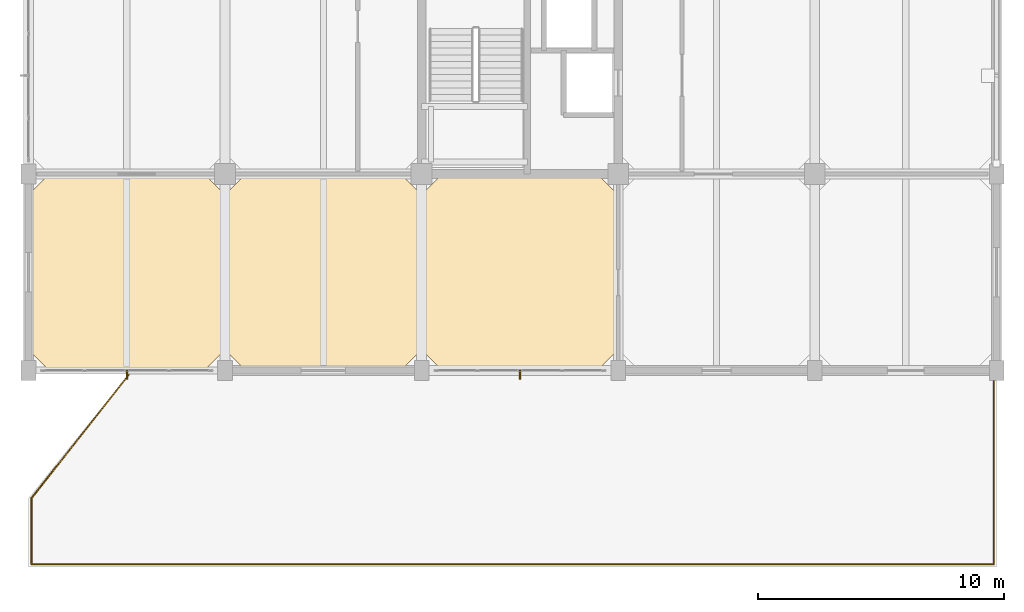
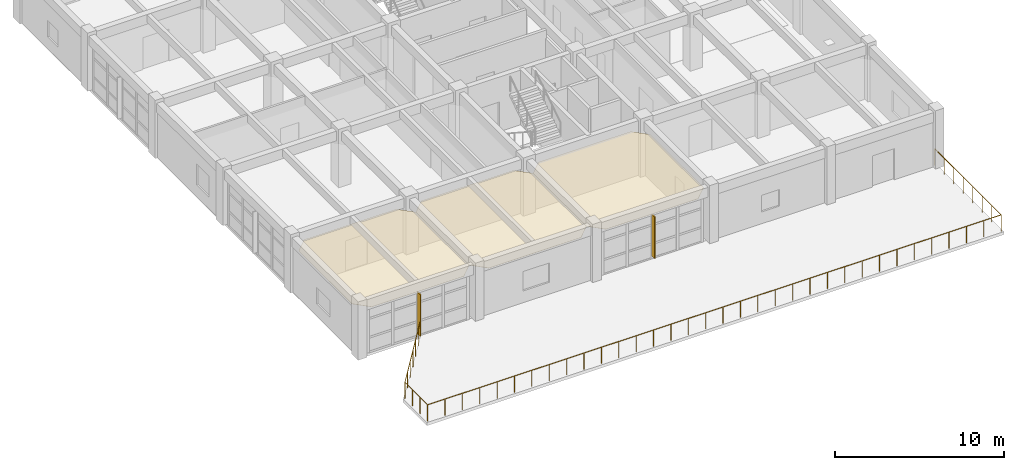
# One storey, part 25 of 30: 3 coverings, 2 shading devices, 1 railing.
"""IFC4 building model written with IfcOpenShell, lengths in metres."""

import ifcopenshell
import ifcopenshell.guid

model = None  # the IFC model being written
_history = None  # IfcOwnerHistory: only IFC2X3 demands one
_inside = {}  # id of a spatial element -> (the spatial element, [elements in it])
_under = {}  # id of a project, library or spatial element -> (it, [spatial elements below it])
_declared = {}  # id of a project -> (the project, [libraries it declares])
_typed = {}  # id of a type object -> (the type object, [elements of that type])
_made_of = {}  # id of a material, layer set ... -> (it, [elements and type objects made of it])


def new_model(schema):
    """Start an empty IFC model of exactly this schema.

    Asked for "IFC4X3", IfcOpenShell would pick the latest addendum, in which some entities
    have other attributes; the version numbers below select the first issue.
    IFC2X3 requires an IfcOwnerHistory on every rooted entity: one is made here for all.
    """
    global model, _history
    if schema == "IFC4X3":
        model = ifcopenshell.file(schema_version=(4, 3, 0, 0))
    else:
        model = ifcopenshell.file(schema=schema)
    _inside.clear()
    _under.clear()
    _declared.clear()
    _typed.clear()
    _made_of.clear()
    _history = None
    if model.schema == "IFC2X3":
        org = make("IfcOrganization", Name="unknown")
        user = make(
            "IfcPersonAndOrganization",
            ThePerson=make("IfcPerson", FamilyName="unknown"),
            TheOrganization=org,
        )
        app = make(
            "IfcApplication",
            ApplicationDeveloper=org,
            Version="unknown",
            ApplicationFullName="unknown",
            ApplicationIdentifier="unknown",
        )
        _history = make(
            "IfcOwnerHistory",
            OwningUser=user,
            OwningApplication=app,
            ChangeAction="ADDED",
            CreationDate=0,
        )
    return model


def make(cls, **values):
    """One entity of the class cls with the attributes given. An attribute that is None is left unset."""
    return model.create_entity(
        cls, **{name: value for name, value in values.items() if value is not None}
    )


def rooted(cls, **values):
    """An entity with a GlobalId (a new one), such as an element, a storey or a relation."""
    return make(cls, GlobalId=ifcopenshell.guid.new(), OwnerHistory=_history, **values)


def si_unit(unit_type, name, prefix=None):
    """IfcSIUnit, for example si_unit("LENGTHUNIT", "METRE", prefix="MILLI")."""
    return make("IfcSIUnit", UnitType=unit_type, Prefix=prefix, Name=name)


def assignment(units):
    """IfcUnitAssignment: the units of a project."""
    return None if units is None else make("IfcUnitAssignment", Units=units)


def point(xyz):
    """IfcCartesianPoint."""
    return None if xyz is None else make("IfcCartesianPoint", Coordinates=xyz)


def direction(xyz):
    """IfcDirection."""
    return None if xyz is None else make("IfcDirection", DirectionRatios=xyz)


def frame(location, z_axis=None, x_axis=None):
    """IfcAxis2Placement3D, a coordinate frame: its origin and axes. An axis left out is left unset."""
    return make(
        "IfcAxis2Placement3D",
        Location=point(location),
        Axis=direction(z_axis),
        RefDirection=direction(x_axis),
    )


def frame_2d(location, x_axis=None):
    """IfcAxis2Placement2D, a coordinate frame in the plane: its origin and x axis."""
    return make(
        "IfcAxis2Placement2D", Location=point(location), RefDirection=direction(x_axis)
    )


def origin():
    """The frame at (0, 0, 0) with its axes left unset."""
    return frame((0.0, 0.0, 0.0))


def origin_2d():
    """The frame at (0, 0) in the plane with its x axis left unset."""
    return frame_2d((0.0, 0.0))


def place(relative_to, where):
    """IfcLocalPlacement: puts the frame where relative to a parent placement (None: the world)."""
    return make(
        "IfcLocalPlacement", PlacementRelTo=relative_to, RelativePlacement=where
    )


def context(
    kind, dimensions, precision=None, world=None, true_north=None, identifier=None
):
    """IfcGeometricRepresentationContext, for example the 3D "Model" context."""
    return make(
        "IfcGeometricRepresentationContext",
        ContextIdentifier=identifier,
        ContextType=kind,
        CoordinateSpaceDimension=dimensions,
        Precision=precision,
        WorldCoordinateSystem=world,
        TrueNorth=true_north,
    )


def subcontext(parent, identifier, kind, view, scale=None):
    """IfcGeometricRepresentationSubContext, for example "Body" below "Model"."""
    return make(
        "IfcGeometricRepresentationSubContext",
        ContextIdentifier=identifier,
        ContextType=kind,
        ParentContext=parent,
        TargetScale=scale,
        TargetView=view,
    )


def project(units=None, contexts=None):
    """IfcProject with its units and contexts."""
    return rooted(
        "IfcProject",
        Name="project",
        RepresentationContexts=contexts,
        UnitsInContext=assignment(units),
    )


def spatial(cls, under=None, at=None, **own):
    """A site, building, storey or space (cls), placed at a placement, below another one or the project."""
    s = rooted(cls, ObjectPlacement=at, **own)
    if under is not None:
        _under.setdefault(under.id(), (under, []))[1].append(s)
    return s


def polyline(points):
    """IfcPolyline through the points."""
    return make("IfcPolyline", Points=[point(p) for p in points])


def profile(cls, at=None, kind="AREA", **sizes):
    """A parametric profile (cls). Its sizes go by their IFC names, for example OverallWidth=200.0."""
    return make(cls, ProfileType=kind, Position=at, **sizes)


def rectangle(**sizes):
    """IfcRectangleProfileDef."""
    return profile("IfcRectangleProfileDef", **sizes)


def circle(**sizes):
    """IfcCircleProfileDef."""
    return profile("IfcCircleProfileDef", **sizes)


def outline(outer, holes=None, kind="AREA"):
    """IfcArbitraryClosedProfileDef: a profile drawn as a closed curve; with holes, ...WithVoids."""
    if holes is None:
        return make("IfcArbitraryClosedProfileDef", ProfileType=kind, OuterCurve=outer)
    return make(
        "IfcArbitraryProfileDefWithVoids",
        ProfileType=kind,
        OuterCurve=outer,
        InnerCurves=holes,
    )


def extrude(swept, where, along, depth):
    """IfcExtrudedAreaSolid: the profile swept, set in the frame where, extruded along a direction by depth."""
    return make(
        "IfcExtrudedAreaSolid",
        SweptArea=swept,
        Position=where,
        ExtrudedDirection=direction(along),
        Depth=depth,
    )


def shape(context_of_items, identifier, shape_type, items):
    """IfcShapeRepresentation: the items that make up one representation, for example the "Body"."""
    return make(
        "IfcShapeRepresentation",
        ContextOfItems=context_of_items,
        RepresentationIdentifier=identifier,
        RepresentationType=shape_type,
        Items=items,
    )


def material(Name=None, Category=None):
    """IfcMaterial."""
    return make("IfcMaterial", Name=Name, Category=Category)


def layer(
    of_material, thickness, ventilated=None, Name=None, Category=None, Priority=None
):
    """IfcMaterialLayer: one layer of a wall or slab, of a material (None: an air gap)."""
    return make(
        "IfcMaterialLayer",
        Material=of_material,
        LayerThickness=thickness,
        IsVentilated=ventilated,
        Name=Name,
        Category=Category,
        Priority=Priority,
    )


def layer_set(layers, Name=None):
    """IfcMaterialLayerSet."""
    return make("IfcMaterialLayerSet", MaterialLayers=layers, LayerSetName=Name)


def made_of(thing, what):
    """Note that an element or type object is made of a material, layer set ...; save() writes the relation."""
    if what is not None:
        _made_of.setdefault(what.id(), (what, []))[1].append(thing)
    return thing


def type_object(cls, material=None, **own):
    """A type object (cls), such as IfcWallType, which elements share."""
    return made_of(rooted(cls, **own), material)


def element(
    cls,
    number,
    at=None,
    inside=None,
    cuts=None,
    type_object=None,
    material=None,
    context=None,
    identifier="Body",
    shape_type=None,
    held_by="IfcProductDefinitionShape",
    body=None,
    shapes=None,
    **own,
):
    """One element of the class cls, such as IfcWall. Its Tag is "e" and its number.

    at: its placement. inside: the storey or other place that contains it. cuts: it is an
    opening in that element (IfcRelVoidsElement). A single representation is given by context,
    identifier, shape_type and body (its items); several are given by shapes. held_by: the class
    of the entity that holds the representations. save() writes the other relations.
    """
    e = rooted(cls, Tag="e%d" % number, ObjectPlacement=at, **own)
    if body is not None:
        shapes = [shape(context, identifier, shape_type, body)]
    if shapes is not None:
        e.Representation = make(held_by, Representations=shapes)
    if inside is not None:
        _inside.setdefault(inside.id(), (inside, []))[1].append(e)
    if cuts is not None:
        rooted(
            "IfcRelVoidsElement", RelatingBuildingElement=cuts, RelatedOpeningElement=e
        )
    if type_object is not None:
        _typed.setdefault(type_object.id(), (type_object, []))[1].append(e)
    return made_of(e, material)


def aggregate(whole, parts):
    """IfcRelAggregates: a whole, such as a stair, and the parts it consists of."""
    return rooted("IfcRelAggregates", RelatingObject=whole, RelatedObjects=parts)


def save(model, path):
    """Write the relations noted so far, then the file.

    IfcRelAggregates (storeys below a building ...), IfcRelContainedInSpatialStructure (elements
    in a storey), IfcRelDefinesByType, IfcRelAssociatesMaterial and IfcRelDeclares: one each for
    every whole, place, type object, material and project.
    """
    for whole, parts in _under.values():
        aggregate(whole, parts)
    for where, things in _inside.values():
        rooted(
            "IfcRelContainedInSpatialStructure",
            RelatedElements=things,
            RelatingStructure=where,
        )
    for kind, things in _typed.values():
        rooted("IfcRelDefinesByType", RelatedObjects=things, RelatingType=kind)
    for what, things in _made_of.values():
        rooted("IfcRelAssociatesMaterial", RelatedObjects=things, RelatingMaterial=what)
    for by, libraries in _declared.values():
        rooted("IfcRelDeclares", RelatingContext=by, RelatedDefinitions=libraries)
    model.write(path)


model = new_model("IFC4")

# Units and contexts
model_context = context("Model", 3, precision=1e-05, world=origin(), true_north=direction((0.0, 1.0)))
body_context = subcontext(model_context, "Body", "Model", "MODEL_VIEW")
ifc_project = project(units=[si_unit("LENGTHUNIT", "METRE"), si_unit("AREAUNIT", "SQUARE_METRE"), si_unit("VOLUMEUNIT", "CUBIC_METRE"), si_unit("PLANEANGLEUNIT", "RADIAN"), si_unit("MASSUNIT", "GRAM", prefix="KILO")], contexts=[model_context])

# Site, building, storey
site_placement = place(None, origin())
site = spatial("IfcSite", under=ifc_project, at=site_placement, CompositionType="ELEMENT")
building_placement = place(site_placement, origin())
building = spatial("IfcBuilding", under=site, at=building_placement, Name="Canggui Botanical Conservatory", CompositionType="ELEMENT")
storey_placement = place(building_placement, frame((0.0, 0.0, 27.60009765625)))
storey = spatial("IfcBuildingStorey", under=building, at=storey_placement, Name="L07", CompositionType="ELEMENT", Elevation=27.60009765625)

# Coverings
ifc_material_1 = material(Name="Mineral Fibre Acoustic Board")
ifc_layer_1 = layer(ifc_material_1, 0.014892578125, Name="Mineral Fibre Acoustic Board")
ifc_layer_set_1 = layer_set([ifc_layer_1], Name="Mineral Fibre Acoustic Board")
covering_type_1 = type_object("IfcCoveringType", Name="COV-CEIL-15", PredefinedType="CEILING", material=ifc_layer_set_1)
covering_1_placement = place(storey_placement, frame((0.0, 0.0, 3.19482421875)))
element("IfcCovering", 1, at=covering_1_placement, inside=storey, type_object=covering_type_1, Name="Suspended Acoustic Ceiling L07-138-34", PredefinedType="CEILING", context=body_context, shape_type="SweptSolid", body=[
    extrude(outline(polyline([(138.85009765625, 34.0), (145.14990234375, 34.0), (146.0, 34.85009765625), (146.0, 41.14990234375), (145.14990234375, 42.0), (138.85009765625, 42.0), (138.0, 41.14990234375), (138.0, 34.85009765625), (138.85009765625, 34.0)])), origin(), (0.0, 0.0, 1.0), 0.01513671875),
])
covering_2_placement = place(storey_placement, frame((0.0, 0.0, 3.19482421875)))
element("IfcCovering", 2, at=covering_2_placement, inside=storey, type_object=covering_type_1, Name="Suspended Acoustic Ceiling L07-154-34", PredefinedType="CEILING", context=body_context, shape_type="SweptSolid", body=[
    extrude(outline(polyline([(154.85009765625, 34.0), (161.14990234375, 34.0), (162.0, 34.85009765625), (162.0, 41.14990234375), (161.14990234375, 42.0), (154.85009765625, 42.0), (154.0, 41.14990234375), (154.0, 34.85009765625), (154.85009765625, 34.0)])), origin(), (0.0, 0.0, 1.0), 0.01513671875),
])
ifc_material_2 = material(Name="Perforated Gypsum Acoustic Panel")
ifc_layer_2 = layer(ifc_material_2, 0.02001953125, Name="Perforated Gypsum Acoustic Panel")
ifc_layer_set_2 = layer_set([ifc_layer_2], Name="Perforated Gypsum Acoustic Panel")
covering_type_2 = type_object("IfcCoveringType", Name="COV-CEIL-20", PredefinedType="CEILING", material=ifc_layer_set_2)
covering_3_placement = place(storey_placement, frame((0.0, 0.0, 3.18994140625)))
element("IfcCovering", 3, at=covering_3_placement, inside=storey, type_object=covering_type_2, Name="Suspended Acoustic Ceiling L07-146-34", PredefinedType="CEILING", context=body_context, shape_type="SweptSolid", body=[
    extrude(outline(polyline([(146.85009765625, 34.0), (153.14990234375, 34.0), (154.0, 34.85009765625), (154.0, 41.14990234375), (153.14990234375, 42.0), (146.85009765625, 42.0), (146.0, 41.14990234375), (146.0, 34.85009765625), (146.85009765625, 34.0)])), origin(), (0.0, 0.0, 1.0), 0.02001953125),
])

# Railing
ifc_material_3 = material(Name="Laminated Safety Glass", Category="glass")
railing_type = type_object("IfcRailingType", Name="RAIL-TERR-1200", PredefinedType="BALUSTRADE", material=ifc_material_3)
railing_placement = place(storey_placement, frame((142.199951171875, 33.97998046875, 0.0)))
element("IfcRailing", 4, at=railing_placement, inside=storey, type_object=railing_type, Name="Sky Terrace Laminated Glass Balustrade L07", PredefinedType="BALUSTRADE", context=body_context, shape_type="SweptSolid", body=[
    extrude(circle(Radius=0.02392578125, at=origin_2d()), frame((0.0, 0.0, 1.17578125), z_axis=(-0.61874830106, -0.785589294692, 0.0), x_axis=(0.785589294692, -0.61874830106, 0.0)), (0.0, 0.0, 1.0), 6.59375),
    extrude(circle(Radius=0.02392578125, at=origin_2d()), frame((-4.079833984375, -5.179931640625, 1.17578125), z_axis=(0.0, -1.0, 0.0), x_axis=(1.0, 0.0, 0.0)), (0.0, 0.0, 1.0), 2.679931640625),
    extrude(circle(Radius=0.02392578125, at=origin_2d()), frame((-4.079833984375, -7.85986328125, 1.17578125), z_axis=(1.0, 0.0, 0.0), x_axis=(0.0, 1.0, 0.0)), (0.0, 0.0, 1.0), 39.159912109375),
    extrude(circle(Radius=0.02392578125, at=origin_2d()), frame((35.080078125, -7.85986328125, 1.17578125), z_axis=(0.0, 1.0, 0.0), x_axis=(-1.0, 0.0, 0.0)), (0.0, 0.0, 1.0), 7.85986328125),
    extrude(circle(Radius=0.02099609375, at=origin_2d()), origin(), (0.0, 0.0, 1.0), 1.15185546875),
    extrude(circle(Radius=0.02099609375, at=origin_2d()), frame((-0.679931640625, -0.86328125, 0.0)), (0.0, 0.0, 1.0), 1.15185546875),
    extrude(circle(Radius=0.02099609375, at=origin_2d()), frame((-1.35986328125, -1.7265625, 0.0)), (0.0, 0.0, 1.0), 1.15185546875),
    extrude(circle(Radius=0.02099609375, at=origin_2d()), frame((-2.0400390625, -2.58984375, 0.0)), (0.0, 0.0, 1.0), 1.15185546875),
    extrude(circle(Radius=0.02099609375, at=origin_2d()), frame((-2.719970703125, -3.453369140625, 0.0)), (0.0, 0.0, 1.0), 1.15185546875),
    extrude(circle(Radius=0.02099609375, at=origin_2d()), frame((-3.39990234375, -4.316650390625, 0.0)), (0.0, 0.0, 1.0), 1.15185546875),
    extrude(circle(Radius=0.02099609375, at=origin_2d()), frame((-4.079833984375, -5.179931640625, 0.0)), (0.0, 0.0, 1.0), 1.15185546875),
    extrude(circle(Radius=0.02099609375, at=origin_2d()), frame((-4.079833984375, -6.0732421875, 0.0)), (0.0, 0.0, 1.0), 1.15185546875),
    extrude(circle(Radius=0.02099609375, at=origin_2d()), frame((-4.079833984375, -6.966552734375, 0.0)), (0.0, 0.0, 1.0), 1.15185546875),
    extrude(circle(Radius=0.02099609375, at=origin_2d()), frame((-4.079833984375, -7.85986328125, 0.0)), (0.0, 0.0, 1.0), 1.15185546875),
    extrude(circle(Radius=0.02099609375, at=origin_2d()), frame((-2.89306640625, -7.85986328125, 0.0)), (0.0, 0.0, 1.0), 1.15185546875),
    extrude(circle(Radius=0.02099609375, at=origin_2d()), frame((-1.70654296875, -7.85986328125, 0.0)), (0.0, 0.0, 1.0), 1.15185546875),
    extrude(circle(Radius=0.02099609375, at=origin_2d()), frame((-0.519775390625, -7.85986328125, 0.0)), (0.0, 0.0, 1.0), 1.15185546875),
    extrude(circle(Radius=0.02099609375, at=origin_2d()), frame((0.666748046875, -7.85986328125, 0.0)), (0.0, 0.0, 1.0), 1.15185546875),
    extrude(circle(Radius=0.02099609375, at=origin_2d()), frame((1.853515625, -7.85986328125, 0.0)), (0.0, 0.0, 1.0), 1.15185546875),
    extrude(circle(Radius=0.02099609375, at=origin_2d()), frame((3.0400390625, -7.85986328125, 0.0)), (0.0, 0.0, 1.0), 1.15185546875),
    extrude(circle(Radius=0.02099609375, at=origin_2d()), frame((4.226806640625, -7.85986328125, 0.0)), (0.0, 0.0, 1.0), 1.15185546875),
    extrude(circle(Radius=0.02099609375, at=origin_2d()), frame((5.41357421875, -7.85986328125, 0.0)), (0.0, 0.0, 1.0), 1.15185546875),
    extrude(circle(Radius=0.02099609375, at=origin_2d()), frame((6.60009765625, -7.85986328125, 0.0)), (0.0, 0.0, 1.0), 1.15185546875),
    extrude(circle(Radius=0.02099609375, at=origin_2d()), frame((7.786865234375, -7.85986328125, 0.0)), (0.0, 0.0, 1.0), 1.15185546875),
    extrude(circle(Radius=0.02099609375, at=origin_2d()), frame((8.973388671875, -7.85986328125, 0.0)), (0.0, 0.0, 1.0), 1.15185546875),
    extrude(circle(Radius=0.02099609375, at=origin_2d()), frame((10.16015625, -7.85986328125, 0.0)), (0.0, 0.0, 1.0), 1.15185546875),
    extrude(circle(Radius=0.02099609375, at=origin_2d()), frame((11.3466796875, -7.85986328125, 0.0)), (0.0, 0.0, 1.0), 1.15185546875),
    extrude(circle(Radius=0.02099609375, at=origin_2d()), frame((12.533447265625, -7.85986328125, 0.0)), (0.0, 0.0, 1.0), 1.15185546875),
    extrude(circle(Radius=0.02099609375, at=origin_2d()), frame((13.72021484375, -7.85986328125, 0.0)), (0.0, 0.0, 1.0), 1.15185546875),
    extrude(circle(Radius=0.02099609375, at=origin_2d()), frame((14.90673828125, -7.85986328125, 0.0)), (0.0, 0.0, 1.0), 1.15185546875),
    extrude(circle(Radius=0.02099609375, at=origin_2d()), frame((16.093505859375, -7.85986328125, 0.0)), (0.0, 0.0, 1.0), 1.15185546875),
    extrude(circle(Radius=0.02099609375, at=origin_2d()), frame((17.280029296875, -7.85986328125, 0.0)), (0.0, 0.0, 1.0), 1.15185546875),
    extrude(circle(Radius=0.02099609375, at=origin_2d()), frame((18.466796875, -7.85986328125, 0.0)), (0.0, 0.0, 1.0), 1.15185546875),
    extrude(circle(Radius=0.02099609375, at=origin_2d()), frame((19.653564453125, -7.85986328125, 0.0)), (0.0, 0.0, 1.0), 1.15185546875),
    extrude(circle(Radius=0.02099609375, at=origin_2d()), frame((20.840087890625, -7.85986328125, 0.0)), (0.0, 0.0, 1.0), 1.15185546875),
    extrude(circle(Radius=0.02099609375, at=origin_2d()), frame((22.02685546875, -7.85986328125, 0.0)), (0.0, 0.0, 1.0), 1.15185546875),
    extrude(circle(Radius=0.02099609375, at=origin_2d()), frame((23.21337890625, -7.85986328125, 0.0)), (0.0, 0.0, 1.0), 1.15185546875),
    extrude(circle(Radius=0.02099609375, at=origin_2d()), frame((24.400146484375, -7.85986328125, 0.0)), (0.0, 0.0, 1.0), 1.15185546875),
    extrude(circle(Radius=0.02099609375, at=origin_2d()), frame((25.586669921875, -7.85986328125, 0.0)), (0.0, 0.0, 1.0), 1.15185546875),
    extrude(circle(Radius=0.02099609375, at=origin_2d()), frame((26.7734375, -7.85986328125, 0.0)), (0.0, 0.0, 1.0), 1.15185546875),
    extrude(circle(Radius=0.02099609375, at=origin_2d()), frame((27.960205078125, -7.85986328125, 0.0)), (0.0, 0.0, 1.0), 1.15185546875),
    extrude(circle(Radius=0.02099609375, at=origin_2d()), frame((29.146728515625, -7.85986328125, 0.0)), (0.0, 0.0, 1.0), 1.15185546875),
    extrude(circle(Radius=0.02099609375, at=origin_2d()), frame((30.33349609375, -7.85986328125, 0.0)), (0.0, 0.0, 1.0), 1.15185546875),
    extrude(circle(Radius=0.02099609375, at=origin_2d()), frame((31.52001953125, -7.85986328125, 0.0)), (0.0, 0.0, 1.0), 1.15185546875),
    extrude(circle(Radius=0.02099609375, at=origin_2d()), frame((32.706787109375, -7.85986328125, 0.0)), (0.0, 0.0, 1.0), 1.15185546875),
    extrude(circle(Radius=0.02099609375, at=origin_2d()), frame((33.893310546875, -7.85986328125, 0.0)), (0.0, 0.0, 1.0), 1.15185546875),
    extrude(circle(Radius=0.02099609375, at=origin_2d()), frame((35.080078125, -7.85986328125, 0.0)), (0.0, 0.0, 1.0), 1.15185546875),
    extrude(circle(Radius=0.02099609375, at=origin_2d()), frame((35.080078125, -6.737060546875, 0.0)), (0.0, 0.0, 1.0), 1.15185546875),
    extrude(circle(Radius=0.02099609375, at=origin_2d()), frame((35.080078125, -5.6142578125, 0.0)), (0.0, 0.0, 1.0), 1.15185546875),
    extrude(circle(Radius=0.02099609375, at=origin_2d()), frame((35.080078125, -4.491455078125, 0.0)), (0.0, 0.0, 1.0), 1.15185546875),
    extrude(circle(Radius=0.02099609375, at=origin_2d()), frame((35.080078125, -3.368408203125, 0.0)), (0.0, 0.0, 1.0), 1.15185546875),
    extrude(circle(Radius=0.02099609375, at=origin_2d()), frame((35.080078125, -2.24560546875, 0.0)), (0.0, 0.0, 1.0), 1.15185546875),
    extrude(circle(Radius=0.02099609375, at=origin_2d()), frame((35.080078125, -1.122802734375, 0.0)), (0.0, 0.0, 1.0), 1.15185546875),
    extrude(circle(Radius=0.02099609375, at=origin_2d()), frame((35.080078125, 0.0, 0.0)), (0.0, 0.0, 1.0), 1.15185546875),
])

# Shading devices
ifc_material_4 = material(Name="Anodised Aluminium", Category="aluminium")
shading_device_type = type_object("IfcShadingDeviceType", Name="SHD-FIN02", PredefinedType="AWNING", material=ifc_material_4)
for number, where, z_axis, x_axis, name in (
    (5, (158.0, 33.8349609375, 0.199951171875), (0.0, 0.0, 1.0), (-1.0, 0.0, 0.0), "Solar Shading Fin CW-TWR-L07-03"),
    (6, (142.0, 33.8349609375, 0.199951171875), (0.0, 0.0, 1.0), (-1.0, 0.0, 0.0), "Solar Shading Fin CW-TWR-L07-05"),
):
    element("IfcShadingDevice", number, at=place(storey_placement, frame(where, z_axis=z_axis, x_axis=x_axis)), inside=storey, type_object=shading_device_type, Name=name, PredefinedType="AWNING", context=body_context, shape_type="SweptSolid", body=[
        extrude(rectangle(XDim=0.06005859375, YDim=0.360107421875, at=origin_2d()), origin(), (0.0, 0.0, 1.0), 3.0),
    ])

save(model, "model.ifc")
